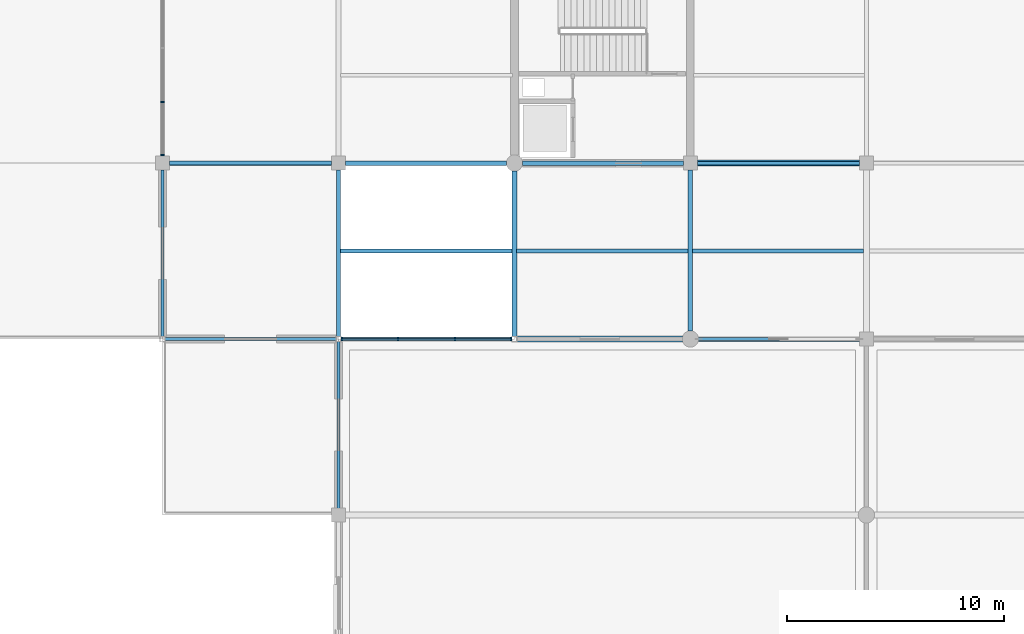
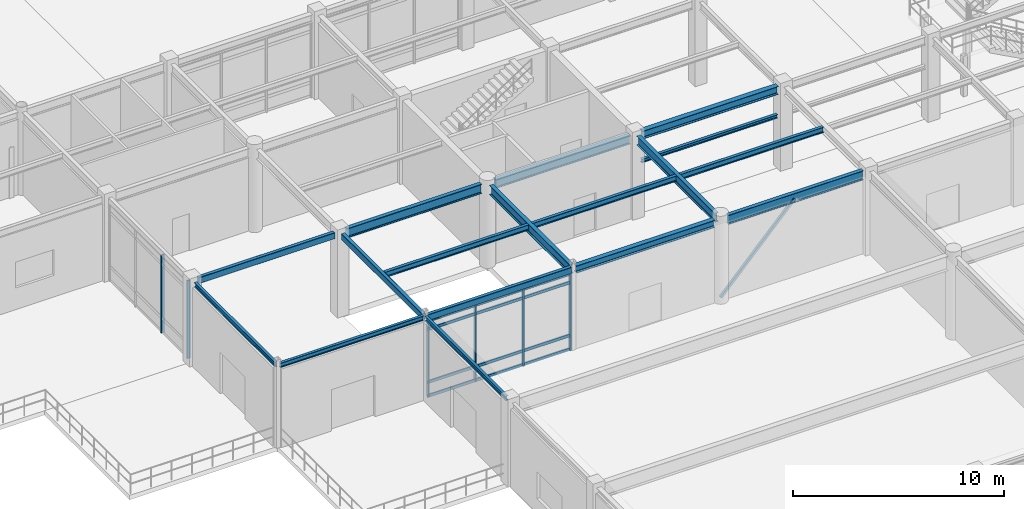
# One storey, part 24 of 99: 17 beams, 11 members, 2 elements without a shape of their own.
"""IFC4 building model written with IfcOpenShell, lengths in metres."""

from ifc_helpers import new_model, si_unit, direction, frame, origin, origin_2d, place, context, subcontext, project, spatial, rectangle, hollow_rectangle, i_section, extrude, material, layer, layer_set, material_profile, profile_set, type_object, element, aggregate, save


model = new_model("IFC4")

# Units and contexts
model_context = context("Model", 3, precision=1e-05, world=origin(), true_north=direction((0.0, 1.0)))
body_context = subcontext(model_context, "Body", "Model", "MODEL_VIEW")
ifc_project = project(units=[si_unit("LENGTHUNIT", "METRE"), si_unit("AREAUNIT", "SQUARE_METRE"), si_unit("VOLUMEUNIT", "CUBIC_METRE"), si_unit("PLANEANGLEUNIT", "RADIAN"), si_unit("MASSUNIT", "GRAM", prefix="KILO")], contexts=[model_context])

# Site, building, storey
site_placement = place(None, origin())
site = spatial("IfcSite", under=ifc_project, at=site_placement, CompositionType="ELEMENT")
building_placement = place(site_placement, origin())
building = spatial("IfcBuilding", under=site, at=building_placement, Name="Vaudrelin Polytechnic", CompositionType="ELEMENT")
storey_placement = place(building_placement, origin())
storey = spatial("IfcBuildingStorey", under=building, at=storey_placement, Name="L00", CompositionType="ELEMENT", Elevation=0.0)

# Beams
ifc_material_1 = material(Name="Steel CSA G40.21 350WT", Category="steel")
ifc_material_profile_1 = material_profile(ifc_material_1, i_section(OverallWidth=0.260009765625, OverallDepth=0.4150390625, WebThickness=0.010009765625, FlangeThickness=0.016845703125, FilletRadius=0.01611328125, at=origin_2d()), Name="W410x100")
ifc_profile_set_1 = profile_set([ifc_material_profile_1], Name="Steel CSA G40.21 350WT")
beam_type_1 = type_object("IfcBeamType", Name="BM-BM-W410H", PredefinedType="SPANDREL", material=ifc_profile_set_1)
beam_1_placement = place(storey_placement, frame((48.722900390625, 24.300048828125, 4.612548828125), z_axis=(1.0, 0.0, 0.0), x_axis=(0.0, 1.0, 0.0)))
element("IfcBeam", 1, at=beam_1_placement, inside=storey, type_object=beam_type_1, Name="L00 X-beam 7-4", PredefinedType="SPANDREL", context=body_context, shape_type="SweptSolid", body=[
    extrude(i_section(OverallWidth=0.260009765625, OverallDepth=0.4150390625, WebThickness=0.010009765625, FlangeThickness=0.016845703125, FilletRadius=0.01611328125, at=origin_2d()), origin(), (0.0, 0.0, 1.0), 7.606201171875),
])
ifc_material_2 = material(Name="Steel CSA G40.21 350W", Category="steel")
ifc_material_profile_2 = material_profile(ifc_material_2, i_section(OverallWidth=0.280029296875, OverallDepth=0.462890625, WebThickness=0.0107421875, FlangeThickness=0.017333984375, FilletRadius=0.01806640625, at=origin_2d()), Name="W460x113")
ifc_profile_set_2 = profile_set([ifc_material_profile_2], Name="Steel CSA G40.21 350W")
beam_type_2 = type_object("IfcBeamType", Name="BM-BM-W460H", PredefinedType="BEAM", material=ifc_profile_set_2)
beam_2_placement = place(storey_placement, frame((57.02099609375, 32.39990234375, 4.58837890625), z_axis=(1.0, 0.0, 0.0), x_axis=(0.0, 1.0, 0.0)))
element("IfcBeam", 2, at=beam_2_placement, inside=storey, type_object=beam_type_2, Name="L00 X-beam 8-5", PredefinedType="BEAM", context=body_context, shape_type="SweptSolid", body=[
    extrude(i_section(OverallWidth=0.280029296875, OverallDepth=0.462890625, WebThickness=0.0107421875, FlangeThickness=0.017333984375, FilletRadius=0.01806640625, at=origin_2d()), origin(), (0.0, 0.0, 1.0), 7.4580078125),
])
ifc_material_profile_3 = material_profile(ifc_material_2, i_section(OverallWidth=0.208984375, OverallDepth=0.532958984375, WebThickness=0.01025390625, FlangeThickness=0.015625, FilletRadius=0.01904296875, at=origin_2d()), Name="W530x92")
ifc_profile_set_3 = profile_set([ifc_material_profile_3], Name="Steel CSA G40.21 350W")
beam_type_3 = type_object("IfcBeamType", Name="BM-BM-W530", PredefinedType="BEAM", material=ifc_profile_set_3)
beam_3_placement = place(storey_placement, frame((56.699951171875, 24.659912109375, 4.553466796875), z_axis=(0.0, 1.0, 0.0), x_axis=(-1.0, 0.0, 0.0)))
element("IfcBeam", 3, at=beam_3_placement, inside=storey, type_object=beam_type_3, Name="L00 Y-beam 8-4", PredefinedType="BEAM", context=body_context, shape_type="SweptSolid", body=[
    extrude(i_section(OverallWidth=0.208984375, OverallDepth=0.532958984375, WebThickness=0.01025390625, FlangeThickness=0.015625, FilletRadius=0.01904296875, at=origin_2d()), origin(), (0.0, 0.0, 1.0), 7.43017578125),
])
for number, where, z_axis, x_axis, name in (
    (4, (48.970947265625, 32.39990234375, 4.553466796875), (1.0, 0.0, 0.0), (0.0, 1.0, 0.0), "L00 X-beam 7-5"),
    (5, (57.071044921875, 24.300048828125, 4.553466796875), (1.0, 0.0, 0.0), (0.0, 1.0, 0.0), "L00 X-beam 8-4"),
):
    element("IfcBeam", number, at=place(storey_placement, frame(where, z_axis=z_axis, x_axis=x_axis)), inside=storey, type_object=beam_type_3, Name=name, PredefinedType="BEAM", context=body_context, shape_type="SweptSolid", body=[
        extrude(i_section(OverallWidth=0.208984375, OverallDepth=0.532958984375, WebThickness=0.01025390625, FlangeThickness=0.015625, FilletRadius=0.01904296875, at=origin_2d()), origin(), (0.0, 0.0, 1.0), 7.407958984375),
    ])
ifc_material_profile_4 = material_profile(ifc_material_2, i_section(OverallWidth=0.214111328125, OverallDepth=0.549072265625, WebThickness=0.0146484375, FlangeThickness=0.023681640625, FilletRadius=0.01904296875, at=origin_2d()), Name="W530x138")
ifc_profile_set_4 = profile_set([ifc_material_profile_4], Name="Steel CSA G40.21 350W")
beam_type_4 = type_object("IfcBeamType", Name="BM-BM-W530H", PredefinedType="BEAM", material=ifc_profile_set_4)
beam_4_placement = place(storey_placement, frame((48.60009765625, 24.412109375, 4.54541015625), z_axis=(0.0, 1.0, 0.0), x_axis=(-1.0, 0.0, 0.0)))
element("IfcBeam", 6, at=beam_4_placement, inside=storey, type_object=beam_type_4, Name="L00 Y-beam 7-4", PredefinedType="BEAM", context=body_context, shape_type="SweptSolid", body=[
    extrude(i_section(OverallWidth=0.214111328125, OverallDepth=0.549072265625, WebThickness=0.0146484375, FlangeThickness=0.023681640625, FilletRadius=0.01904296875, at=origin_2d()), origin(), (0.0, 0.0, 1.0), 7.6279296875),
])
beam_5_placement = place(storey_placement, frame((40.821044921875, 32.39990234375, 4.54541015625), z_axis=(1.0, 0.0, 0.0), x_axis=(0.0, 1.0, 0.0)))
element("IfcBeam", 7, at=beam_5_placement, inside=storey, type_object=beam_type_4, Name="L00 X-beam 6-5", PredefinedType="BEAM", context=body_context, shape_type="SweptSolid", body=[
    extrude(i_section(OverallWidth=0.214111328125, OverallDepth=0.549072265625, WebThickness=0.0146484375, FlangeThickness=0.023681640625, FilletRadius=0.01904296875, at=origin_2d()), origin(), (0.0, 0.0, 1.0), 7.407958984375),
])
ifc_material_profile_5 = material_profile(ifc_material_2, i_section(OverallWidth=0.14794921875, OverallDepth=0.26611328125, WebThickness=0.007568359375, FlangeThickness=0.012939453125, FilletRadius=0.012939453125, at=origin_2d()), Name="W250x45")
ifc_profile_set_5 = profile_set([ifc_material_profile_5], Name="Steel CSA G40.21 350W")
beam_type_5 = type_object("IfcBeamType", Name="BM-JS-W250", PredefinedType="JOIST", material=ifc_profile_set_5)
for number, where, z_axis, x_axis, name in (
    (8, (32.39990234375, 24.412109375, 4.68701171875), (0.0, 1.0, 0.0), (-1.0, 0.0, 0.0), "L00 Y-beam 5-4"),
    (9, (40.5, 16.510009765625, 4.68701171875), (0.0, 1.0, 0.0), (-1.0, 0.0, 0.0), "L00 Y-beam 6-3"),
):
    element("IfcBeam", number, at=place(storey_placement, frame(where, z_axis=z_axis, x_axis=x_axis)), inside=storey, type_object=beam_type_5, Name=name, PredefinedType="JOIST", context=body_context, shape_type="SweptSolid", body=[
        extrude(i_section(OverallWidth=0.14794921875, OverallDepth=0.26611328125, WebThickness=0.007568359375, FlangeThickness=0.012939453125, FilletRadius=0.012939453125, at=origin_2d()), origin(), (0.0, 0.0, 1.0), 7.677978515625),
    ])
beam_6_placement = place(storey_placement, frame((32.52294921875, 24.300048828125, 4.68701171875), z_axis=(1.0, 0.0, 0.0), x_axis=(0.0, 1.0, 0.0)))
element("IfcBeam", 10, at=beam_6_placement, inside=storey, type_object=beam_type_5, Name="L00 X-beam 5-4", PredefinedType="JOIST", context=body_context, shape_type="SweptSolid", body=[
    extrude(i_section(OverallWidth=0.14794921875, OverallDepth=0.26611328125, WebThickness=0.007568359375, FlangeThickness=0.012939453125, FilletRadius=0.012939453125, at=origin_2d()), origin(), (0.0, 0.0, 1.0), 7.85400390625),
])
ifc_material_profile_6 = material_profile(ifc_material_2, i_section(OverallWidth=0.1669921875, OverallDepth=0.31689453125, WebThickness=0.007568359375, FlangeThickness=0.01318359375, FilletRadius=0.013916015625, at=origin_2d()), Name="W310x52")
ifc_profile_set_6 = profile_set([ifc_material_profile_6], Name="Steel CSA G40.21 350W")
beam_type_6 = type_object("IfcBeamType", Name="BM-JS-W310", PredefinedType="JOIST", material=ifc_profile_set_6)
beam_7_placement = place(storey_placement, frame((40.597412109375, 28.35009765625, 4.66162109375), z_axis=(1.0, 0.0, 0.0), x_axis=(0.0, 1.0, 0.0)))
element("IfcBeam", 11, at=beam_7_placement, inside=storey, type_object=beam_type_6, Name="L00 floor joist 6-4", PredefinedType="JOIST", context=body_context, shape_type="SweptSolid", body=[
    extrude(i_section(OverallWidth=0.1669921875, OverallDepth=0.31689453125, WebThickness=0.007568359375, FlangeThickness=0.01318359375, FilletRadius=0.013916015625, at=origin_2d()), origin(), (0.0, 0.0, 1.0), 7.899658203125),
])
beam_8_placement = place(storey_placement, frame((48.702880859375, 28.35009765625, 4.66162109375), z_axis=(1.0, 0.0, 0.0), x_axis=(0.0, 1.0, 0.0)))
element("IfcBeam", 12, at=beam_8_placement, inside=storey, type_object=beam_type_6, Name="L00 floor joist 7-4", PredefinedType="JOIST", context=body_context, shape_type="SweptSolid", body=[
    extrude(i_section(OverallWidth=0.1669921875, OverallDepth=0.31689453125, WebThickness=0.007568359375, FlangeThickness=0.01318359375, FilletRadius=0.013916015625, at=origin_2d()), origin(), (0.0, 0.0, 1.0), 7.896728515625),
])
beam_9_placement = place(storey_placement, frame((56.800537109375, 28.35009765625, 4.66162109375), z_axis=(1.0, 0.0, 0.0), x_axis=(0.0, 1.0, 0.0)))
element("IfcBeam", 13, at=beam_9_placement, inside=storey, type_object=beam_type_6, Name="L00 floor joist 8-4", PredefinedType="JOIST", context=body_context, shape_type="SweptSolid", body=[
    extrude(i_section(OverallWidth=0.1669921875, OverallDepth=0.31689453125, WebThickness=0.007568359375, FlangeThickness=0.01318359375, FilletRadius=0.013916015625, at=origin_2d()), origin(), (0.0, 0.0, 1.0), 7.863525390625),
])
ifc_material_profile_7 = material_profile(ifc_material_2, i_section(OverallWidth=0.1650390625, OverallDepth=0.200927734375, WebThickness=0.006103515625, FlangeThickness=0.01025390625, FilletRadius=0.010986328125, at=origin_2d()), Name="W200x36")
ifc_profile_set_7 = profile_set([ifc_material_profile_7], Name="Steel CSA G40.21 350W")
beam_type_7 = type_object("IfcBeamType", Name="BM-LN-W200", PredefinedType="LINTEL", material=ifc_profile_set_7)
beam_10_placement = place(storey_placement, frame((57.02099609375, 32.39990234375, 3.050048828125), z_axis=(1.0, 0.0, 0.0), x_axis=(0.0, 1.0, 0.0)))
element("IfcBeam", 14, at=beam_10_placement, inside=storey, type_object=beam_type_7, Name="Portal opening lintel LN-05", PredefinedType="LINTEL", context=body_context, shape_type="SweptSolid", body=[
    extrude(i_section(OverallWidth=0.1650390625, OverallDepth=0.200927734375, WebThickness=0.006103515625, FlangeThickness=0.01025390625, FilletRadius=0.010986328125, at=origin_2d()), origin(), (0.0, 0.0, 1.0), 7.4580078125),
])
ifc_material_profile_8 = material_profile(ifc_material_1, hollow_rectangle(XDim=0.202880859375, YDim=0.35595703125, WallThickness=0.0126953125, InnerFilletRadius=0.0126953125, OuterFilletRadius=0.025390625, at=origin_2d()), Name="HSS356x203x12.7")
ifc_profile_set_8 = profile_set([ifc_material_profile_8], Name="Steel CSA G40.21 350WT")
beam_type_8 = type_object("IfcBeamType", Name="BM-SP-HSS35", PredefinedType="SPANDREL", material=ifc_profile_set_8)
beam_11_placement = place(storey_placement, frame((40.5, 24.412109375, 4.64208984375), z_axis=(0.0, 1.0, 0.0), x_axis=(-1.0, 0.0, 0.0)))
element("IfcBeam", 15, at=beam_11_placement, inside=storey, type_object=beam_type_8, Name="L00 Y-beam 6-4", PredefinedType="SPANDREL", context=body_context, shape_type="SweptSolid", body=[
    extrude(hollow_rectangle(XDim=0.202880859375, YDim=0.35595703125, WallThickness=0.0126953125, InnerFilletRadius=0.0126953125, OuterFilletRadius=0.025390625, at=origin_2d()), origin(), (0.0, 0.0, 1.0), 7.677978515625),
])
beam_12_placement = place(storey_placement, frame((32.720947265625, 32.39990234375, 4.64208984375), z_axis=(1.0, 0.0, 0.0), x_axis=(0.0, 1.0, 0.0)))
element("IfcBeam", 16, at=beam_12_placement, inside=storey, type_object=beam_type_8, Name="L00 X-beam 5-5", PredefinedType="SPANDREL", context=body_context, shape_type="SweptSolid", body=[
    extrude(hollow_rectangle(XDim=0.202880859375, YDim=0.35595703125, WallThickness=0.0126953125, InnerFilletRadius=0.0126953125, OuterFilletRadius=0.025390625, at=origin_2d()), origin(), (0.0, 0.0, 1.0), 7.4580078125),
])
beam_13_placement = place(storey_placement, frame((40.623046875, 24.300048828125, 4.64208984375), z_axis=(1.0, 0.0, 0.0), x_axis=(0.0, 1.0, 0.0)))
element("IfcBeam", 17, at=beam_13_placement, inside=storey, type_object=beam_type_8, Name="L00 X-beam 6-4", PredefinedType="SPANDREL", context=body_context, shape_type="SweptSolid", body=[
    extrude(hollow_rectangle(XDim=0.202880859375, YDim=0.35595703125, WallThickness=0.0126953125, InnerFilletRadius=0.0126953125, OuterFilletRadius=0.025390625, at=origin_2d()), origin(), (0.0, 0.0, 1.0), 7.85400390625),
])

# Member
ifc_material_profile_9 = material_profile(ifc_material_2, hollow_rectangle(XDim=0.152099609375, YDim=0.152099609375, WallThickness=0.008056640625, InnerFilletRadius=0.008056640625, OuterFilletRadius=0.01611328125, at=origin_2d()), Name="HSS152x152x8.0")
ifc_profile_set_9 = profile_set([ifc_material_profile_9], Name="Steel CSA G40.21 350W")
member_type_1 = type_object("IfcMemberType", Name="MEM-BF-D01", PredefinedType="BRACE", material=ifc_profile_set_9)
member_1_placement = place(storey_placement, frame((56.699951171875, 24.300048828125, 0.14990234375), z_axis=(0.684186664105, 0.0, 0.729306937209), x_axis=(0.0, 1.0, 0.0)))
element("IfcMember", 18, at=member_1_placement, inside=storey, type_object=member_type_1, Name="Chevron brace BF-05A", PredefinedType="BRACE", context=body_context, shape_type="SweptSolid", body=[
    extrude(hollow_rectangle(XDim=0.152099609375, YDim=0.152099609375, WallThickness=0.008056640625, InnerFilletRadius=0.008056640625, OuterFilletRadius=0.01611328125, at=origin_2d()), origin(), (0.0, 0.0, 1.0), 5.91943359375),
])

# Curtain wall, members
ifc_material_3 = material(Name="Thermally broken anodised aluminium AA 6063-T6 and low-e triple glazing", Category="aluminium")
ifc_layer = layer(ifc_material_3, 0.199951171875)
ifc_layer_set = layer_set([ifc_layer], Name="Thermally broken anodised aluminium AA 6063-T6 and low-e triple glazing")
curtain_wall_type = type_object("IfcCurtainWallType", Name="CW-CW-POR", PredefinedType="USERDEFINED", material=ifc_layer_set)
curtain_wall_1_placement = place(storey_placement, origin())
curtain_wall_1 = element("IfcCurtainWall", 19, at=curtain_wall_1_placement, inside=storey, type_object=curtain_wall_type, Name="Curtain wall L00 W_PORCH_01", ObjectType="CURTAIN WALL", PredefinedType="USERDEFINED")
ifc_material_4 = material(Name="Anodised aluminium AA 6063-T6", Category="aluminium")
ifc_material_profile_10 = material_profile(ifc_material_4, rectangle(XDim=0.06494140625, YDim=0.179931640625, at=origin_2d()), Name="CWM-65x180")
ifc_profile_set_10 = profile_set([ifc_material_profile_10], Name="Anodised aluminium AA 6063-T6")
member_type_2 = type_object("IfcMemberType", Name="MEM-CWM-180", PredefinedType="MULLION", material=ifc_profile_set_10)
member_2_placement = place(storey_placement, frame((32.39990234375, 32.762939453125, 0.0), z_axis=(0.0, 0.0, 1.0), x_axis=(0.0, 1.0, 0.0)))
member_2 = element("IfcMember", 20, at=member_2_placement, type_object=member_type_2, Name="W_PORCH_01 mullion 1", PredefinedType="MULLION", context=body_context, shape_type="SweptSolid", body=[
    extrude(rectangle(XDim=0.06494140625, YDim=0.179931640625, at=origin_2d()), origin(), (0.0, 0.0, 1.0), 4.51708984375),
])
member_3_placement = place(storey_placement, frame((32.39990234375, 35.207763671875, 0.0), z_axis=(0.0, 0.0, 1.0), x_axis=(0.0, 1.0, 0.0)))
member_3 = element("IfcMember", 21, at=member_3_placement, type_object=member_type_2, Name="W_PORCH_01 mullion 2", PredefinedType="MULLION", context=body_context, shape_type="SweptSolid", body=[
    extrude(rectangle(XDim=0.06494140625, YDim=0.179931640625, at=origin_2d()), origin(), (0.0, 0.0, 1.0), 4.51708984375),
])
aggregate(curtain_wall_1, [member_2, member_3])

curtain_wall_2_placement = place(storey_placement, origin())
curtain_wall_2 = element("IfcCurtainWall", 22, at=curtain_wall_2_placement, inside=storey, type_object=curtain_wall_type, Name="Curtain wall L00 S_PORCH_01", ObjectType="CURTAIN WALL", PredefinedType="USERDEFINED")
member_4_placement = place(storey_placement, frame((40.6650390625, 24.300048828125, 0.0), z_axis=(0.0, 0.0, 1.0), x_axis=(1.0, 0.0, 0.0)))
member_4 = element("IfcMember", 23, at=member_4_placement, type_object=member_type_2, Name="S_PORCH_01 mullion 1", PredefinedType="MULLION", context=body_context, shape_type="SweptSolid", body=[
    extrude(rectangle(XDim=0.06494140625, YDim=0.179931640625, at=origin_2d()), origin(), (0.0, 0.0, 1.0), 4.466064453125),
])
member_5_placement = place(storey_placement, frame((43.24169921875, 24.300048828125, 0.0), z_axis=(0.0, 0.0, 1.0), x_axis=(1.0, 0.0, 0.0)))
member_5 = element("IfcMember", 24, at=member_5_placement, type_object=member_type_2, Name="S_PORCH_01 mullion 2", PredefinedType="MULLION", context=body_context, shape_type="SweptSolid", body=[
    extrude(rectangle(XDim=0.06494140625, YDim=0.179931640625, at=origin_2d()), origin(), (0.0, 0.0, 1.0), 4.466064453125),
])
member_6_placement = place(storey_placement, frame((45.8583984375, 24.300048828125, 0.0), z_axis=(0.0, 0.0, 1.0), x_axis=(1.0, 0.0, 0.0)))
member_6 = element("IfcMember", 25, at=member_6_placement, type_object=member_type_2, Name="S_PORCH_01 mullion 3", PredefinedType="MULLION", context=body_context, shape_type="SweptSolid", body=[
    extrude(rectangle(XDim=0.06494140625, YDim=0.179931640625, at=origin_2d()), origin(), (0.0, 0.0, 1.0), 4.466064453125),
])
member_7_placement = place(storey_placement, frame((48.43505859375, 24.300048828125, 0.0), z_axis=(0.0, 0.0, 1.0), x_axis=(1.0, 0.0, 0.0)))
member_7 = element("IfcMember", 26, at=member_7_placement, type_object=member_type_2, Name="S_PORCH_01 mullion 4", PredefinedType="MULLION", context=body_context, shape_type="SweptSolid", body=[
    extrude(rectangle(XDim=0.06494140625, YDim=0.179931640625, at=origin_2d()), origin(), (0.0, 0.0, 1.0), 4.466064453125),
])
ifc_material_profile_11 = material_profile(ifc_material_4, rectangle(XDim=0.074951171875, YDim=0.1650390625, at=origin_2d()), Name="CWT-75x165")
ifc_profile_set_11 = profile_set([ifc_material_profile_11], Name="Anodised aluminium AA 6063-T6")
member_type_3 = type_object("IfcMemberType", Name="MEM-CWT-165", PredefinedType="USERDEFINED", material=ifc_profile_set_11)
member_8_placement = place(storey_placement, frame((40.625, 24.300048828125, 0.050048828125), z_axis=(1.0, 0.0, 0.0), x_axis=(0.0, 1.0, 0.0)))
member_8 = element("IfcMember", 27, at=member_8_placement, type_object=member_type_3, Name="S_PORCH_01 transom 1", ObjectType="TRANSOM", PredefinedType="USERDEFINED", context=body_context, shape_type="SweptSolid", body=[
    extrude(rectangle(XDim=0.074951171875, YDim=0.1650390625, at=origin_2d()), origin(), (0.0, 0.0, 1.0), 7.85009765625),
])
member_9_placement = place(storey_placement, frame((40.625, 24.300048828125, 0.85009765625), z_axis=(1.0, 0.0, 0.0), x_axis=(0.0, 1.0, 0.0)))
member_9 = element("IfcMember", 28, at=member_9_placement, type_object=member_type_3, Name="S_PORCH_01 transom 2", ObjectType="TRANSOM", PredefinedType="USERDEFINED", context=body_context, shape_type="SweptSolid", body=[
    extrude(rectangle(XDim=0.074951171875, YDim=0.1650390625, at=origin_2d()), origin(), (0.0, 0.0, 1.0), 7.85009765625),
])
member_10_placement = place(storey_placement, frame((40.625, 24.300048828125, 3.916015625), z_axis=(1.0, 0.0, 0.0), x_axis=(0.0, 1.0, 0.0)))
member_10 = element("IfcMember", 29, at=member_10_placement, type_object=member_type_3, Name="S_PORCH_01 transom 3", ObjectType="TRANSOM", PredefinedType="USERDEFINED", context=body_context, shape_type="SweptSolid", body=[
    extrude(rectangle(XDim=0.074951171875, YDim=0.1650390625, at=origin_2d()), origin(), (0.0, 0.0, 1.0), 7.85009765625),
])
member_11_placement = place(storey_placement, frame((40.625, 24.300048828125, 4.416015625), z_axis=(1.0, 0.0, 0.0), x_axis=(0.0, 1.0, 0.0)))
member_11 = element("IfcMember", 30, at=member_11_placement, type_object=member_type_3, Name="S_PORCH_01 transom 4", ObjectType="TRANSOM", PredefinedType="USERDEFINED", context=body_context, shape_type="SweptSolid", body=[
    extrude(rectangle(XDim=0.074951171875, YDim=0.1650390625, at=origin_2d()), origin(), (0.0, 0.0, 1.0), 7.85009765625),
])
aggregate(curtain_wall_2, [member_4, member_5, member_6, member_7, member_8, member_9, member_10, member_11])

save(model, "model.ifc")
